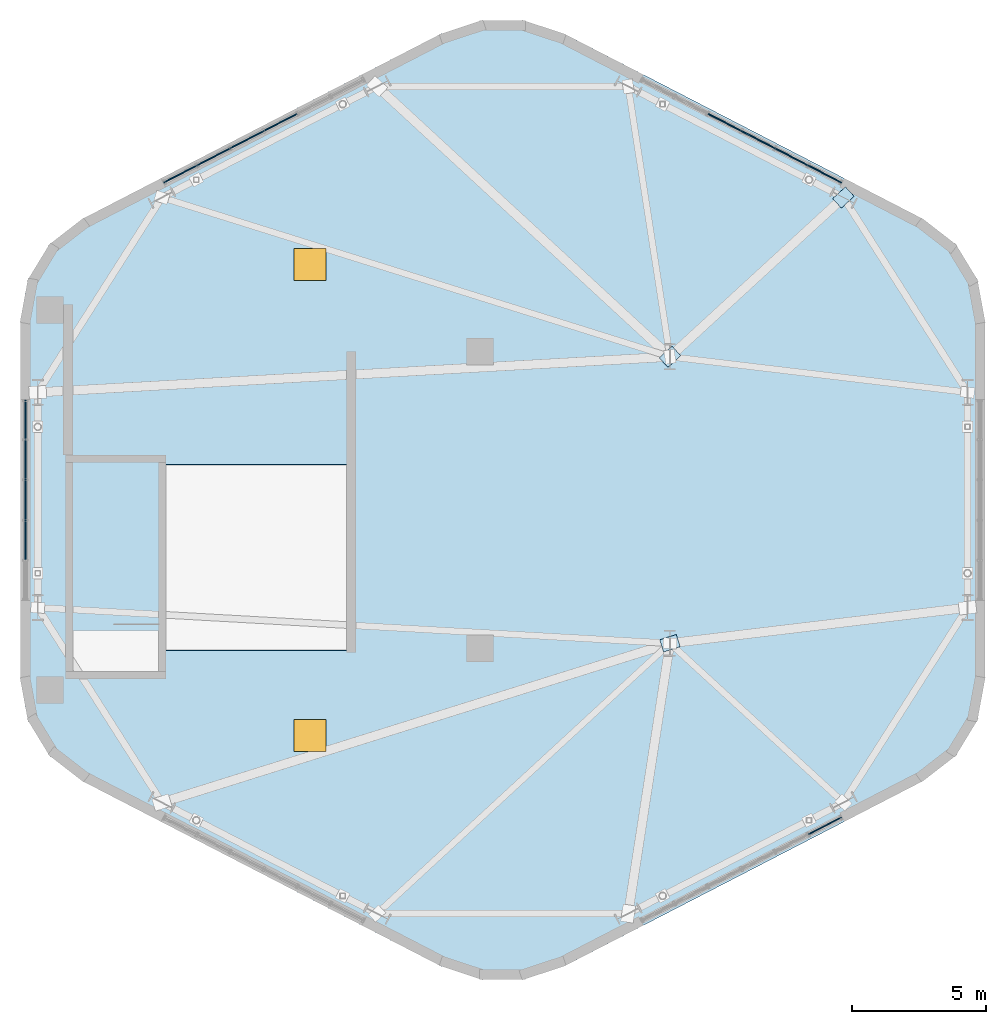
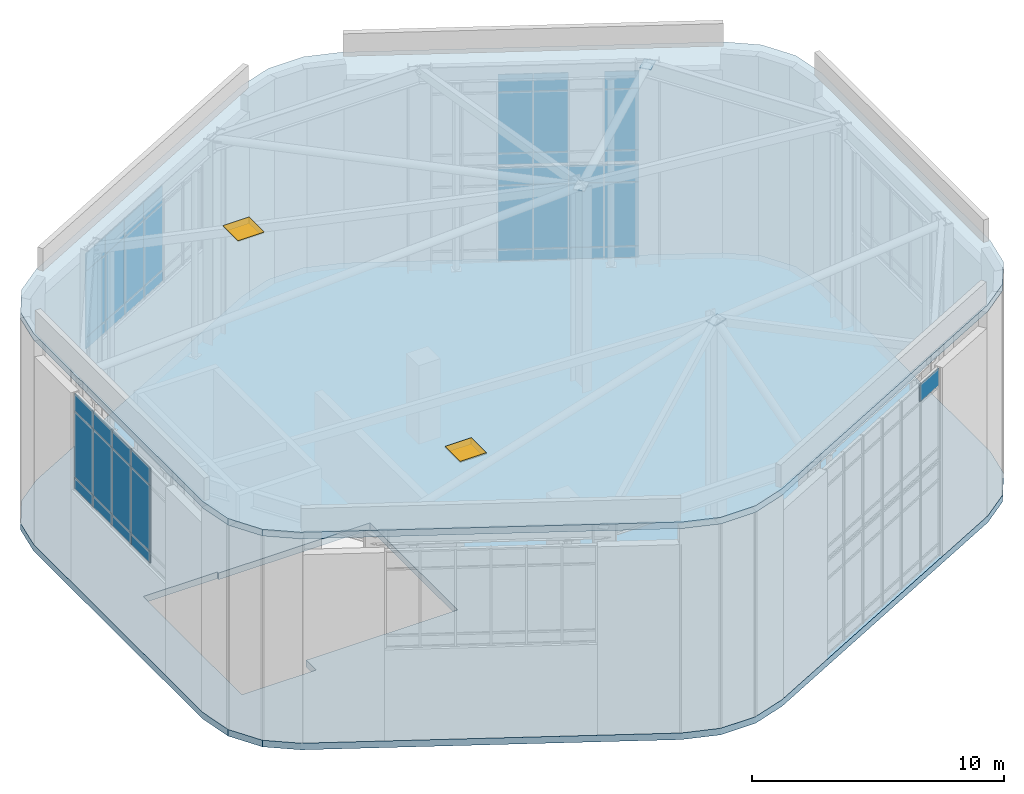
# One storey, part 20 of 23: 49 plates, 2 doors, 2 slabs, 2 openings, 6 elements without a shape of their own.
"""IFC4 building model written with IfcOpenShell, lengths in metres."""

import ifcopenshell
import ifcopenshell.guid

model = None  # the IFC model being written
_history = None  # IfcOwnerHistory: only IFC2X3 demands one
_inside = {}  # id of a spatial element -> (the spatial element, [elements in it])
_under = {}  # id of a project, library or spatial element -> (it, [spatial elements below it])
_declared = {}  # id of a project -> (the project, [libraries it declares])
_typed = {}  # id of a type object -> (the type object, [elements of that type])
_made_of = {}  # id of a material, layer set ... -> (it, [elements and type objects made of it])


def new_model(schema):
    """Start an empty IFC model of exactly this schema.

    Asked for "IFC4X3", IfcOpenShell would pick the latest addendum, in which some entities
    have other attributes; the version numbers below select the first issue.
    IFC2X3 requires an IfcOwnerHistory on every rooted entity: one is made here for all.
    """
    global model, _history
    if schema == "IFC4X3":
        model = ifcopenshell.file(schema_version=(4, 3, 0, 0))
    else:
        model = ifcopenshell.file(schema=schema)
    _inside.clear()
    _under.clear()
    _declared.clear()
    _typed.clear()
    _made_of.clear()
    _history = None
    if model.schema == "IFC2X3":
        org = make("IfcOrganization", Name="unknown")
        user = make(
            "IfcPersonAndOrganization",
            ThePerson=make("IfcPerson", FamilyName="unknown"),
            TheOrganization=org,
        )
        app = make(
            "IfcApplication",
            ApplicationDeveloper=org,
            Version="unknown",
            ApplicationFullName="unknown",
            ApplicationIdentifier="unknown",
        )
        _history = make(
            "IfcOwnerHistory",
            OwningUser=user,
            OwningApplication=app,
            ChangeAction="ADDED",
            CreationDate=0,
        )
    return model


def make(cls, **values):
    """One entity of the class cls with the attributes given. An attribute that is None is left unset."""
    return model.create_entity(
        cls, **{name: value for name, value in values.items() if value is not None}
    )


def rooted(cls, **values):
    """An entity with a GlobalId (a new one), such as an element, a storey or a relation."""
    return make(cls, GlobalId=ifcopenshell.guid.new(), OwnerHistory=_history, **values)


def si_unit(unit_type, name, prefix=None):
    """IfcSIUnit, for example si_unit("LENGTHUNIT", "METRE", prefix="MILLI")."""
    return make("IfcSIUnit", UnitType=unit_type, Prefix=prefix, Name=name)


def assignment(units):
    """IfcUnitAssignment: the units of a project."""
    return None if units is None else make("IfcUnitAssignment", Units=units)


def point(xyz):
    """IfcCartesianPoint."""
    return None if xyz is None else make("IfcCartesianPoint", Coordinates=xyz)


def direction(xyz):
    """IfcDirection."""
    return None if xyz is None else make("IfcDirection", DirectionRatios=xyz)


def frame(location, z_axis=None, x_axis=None):
    """IfcAxis2Placement3D, a coordinate frame: its origin and axes. An axis left out is left unset."""
    return make(
        "IfcAxis2Placement3D",
        Location=point(location),
        Axis=direction(z_axis),
        RefDirection=direction(x_axis),
    )


def frame_2d(location, x_axis=None):
    """IfcAxis2Placement2D, a coordinate frame in the plane: its origin and x axis."""
    return make(
        "IfcAxis2Placement2D", Location=point(location), RefDirection=direction(x_axis)
    )


def origin():
    """The frame at (0, 0, 0) with its axes left unset."""
    return frame((0.0, 0.0, 0.0))


def origin_2d():
    """The frame at (0, 0) in the plane with its x axis left unset."""
    return frame_2d((0.0, 0.0))


def place(relative_to, where):
    """IfcLocalPlacement: puts the frame where relative to a parent placement (None: the world)."""
    return make(
        "IfcLocalPlacement", PlacementRelTo=relative_to, RelativePlacement=where
    )


def context(
    kind, dimensions, precision=None, world=None, true_north=None, identifier=None
):
    """IfcGeometricRepresentationContext, for example the 3D "Model" context."""
    return make(
        "IfcGeometricRepresentationContext",
        ContextIdentifier=identifier,
        ContextType=kind,
        CoordinateSpaceDimension=dimensions,
        Precision=precision,
        WorldCoordinateSystem=world,
        TrueNorth=true_north,
    )


def subcontext(parent, identifier, kind, view, scale=None):
    """IfcGeometricRepresentationSubContext, for example "Body" below "Model"."""
    return make(
        "IfcGeometricRepresentationSubContext",
        ContextIdentifier=identifier,
        ContextType=kind,
        ParentContext=parent,
        TargetScale=scale,
        TargetView=view,
    )


def project(units=None, contexts=None):
    """IfcProject with its units and contexts."""
    return rooted(
        "IfcProject",
        Name="project",
        RepresentationContexts=contexts,
        UnitsInContext=assignment(units),
    )


def spatial(cls, under=None, at=None, **own):
    """A site, building, storey or space (cls), placed at a placement, below another one or the project."""
    s = rooted(cls, ObjectPlacement=at, **own)
    if under is not None:
        _under.setdefault(under.id(), (under, []))[1].append(s)
    return s


def polyline(points):
    """IfcPolyline through the points."""
    return make("IfcPolyline", Points=[point(p) for p in points])


def profile(cls, at=None, kind="AREA", **sizes):
    """A parametric profile (cls). Its sizes go by their IFC names, for example OverallWidth=200.0."""
    return make(cls, ProfileType=kind, Position=at, **sizes)


def rectangle(**sizes):
    """IfcRectangleProfileDef."""
    return profile("IfcRectangleProfileDef", **sizes)


def outline(outer, holes=None, kind="AREA"):
    """IfcArbitraryClosedProfileDef: a profile drawn as a closed curve; with holes, ...WithVoids."""
    if holes is None:
        return make("IfcArbitraryClosedProfileDef", ProfileType=kind, OuterCurve=outer)
    return make(
        "IfcArbitraryProfileDefWithVoids",
        ProfileType=kind,
        OuterCurve=outer,
        InnerCurves=holes,
    )


def extrude(swept, where, along, depth):
    """IfcExtrudedAreaSolid: the profile swept, set in the frame where, extruded along a direction by depth."""
    return make(
        "IfcExtrudedAreaSolid",
        SweptArea=swept,
        Position=where,
        ExtrudedDirection=direction(along),
        Depth=depth,
    )


def shape(context_of_items, identifier, shape_type, items):
    """IfcShapeRepresentation: the items that make up one representation, for example the "Body"."""
    return make(
        "IfcShapeRepresentation",
        ContextOfItems=context_of_items,
        RepresentationIdentifier=identifier,
        RepresentationType=shape_type,
        Items=items,
    )


def material(Name=None, Category=None):
    """IfcMaterial."""
    return make("IfcMaterial", Name=Name, Category=Category)


def layer(
    of_material, thickness, ventilated=None, Name=None, Category=None, Priority=None
):
    """IfcMaterialLayer: one layer of a wall or slab, of a material (None: an air gap)."""
    return make(
        "IfcMaterialLayer",
        Material=of_material,
        LayerThickness=thickness,
        IsVentilated=ventilated,
        Name=Name,
        Category=Category,
        Priority=Priority,
    )


def layer_set(layers, Name=None):
    """IfcMaterialLayerSet."""
    return make("IfcMaterialLayerSet", MaterialLayers=layers, LayerSetName=Name)


def made_of(thing, what):
    """Note that an element or type object is made of a material, layer set ...; save() writes the relation."""
    if what is not None:
        _made_of.setdefault(what.id(), (what, []))[1].append(thing)
    return thing


def type_object(cls, material=None, **own):
    """A type object (cls), such as IfcWallType, which elements share."""
    return made_of(rooted(cls, **own), material)


def element(
    cls,
    number,
    at=None,
    inside=None,
    cuts=None,
    type_object=None,
    material=None,
    context=None,
    identifier="Body",
    shape_type=None,
    held_by="IfcProductDefinitionShape",
    body=None,
    shapes=None,
    **own,
):
    """One element of the class cls, such as IfcWall. Its Tag is "e" and its number.

    at: its placement. inside: the storey or other place that contains it. cuts: it is an
    opening in that element (IfcRelVoidsElement). A single representation is given by context,
    identifier, shape_type and body (its items); several are given by shapes. held_by: the class
    of the entity that holds the representations. save() writes the other relations.
    """
    e = rooted(cls, Tag="e%d" % number, ObjectPlacement=at, **own)
    if body is not None:
        shapes = [shape(context, identifier, shape_type, body)]
    if shapes is not None:
        e.Representation = make(held_by, Representations=shapes)
    if inside is not None:
        _inside.setdefault(inside.id(), (inside, []))[1].append(e)
    if cuts is not None:
        rooted(
            "IfcRelVoidsElement", RelatingBuildingElement=cuts, RelatedOpeningElement=e
        )
    if type_object is not None:
        _typed.setdefault(type_object.id(), (type_object, []))[1].append(e)
    return made_of(e, material)


def fill(opening, filler):
    """IfcRelFillsElement: the door or window that sits in an opening."""
    return rooted(
        "IfcRelFillsElement",
        RelatingOpeningElement=opening,
        RelatedBuildingElement=filler,
    )


def aggregate(whole, parts):
    """IfcRelAggregates: a whole, such as a stair, and the parts it consists of."""
    return rooted("IfcRelAggregates", RelatingObject=whole, RelatedObjects=parts)


def save(model, path):
    """Write the relations noted so far, then the file.

    IfcRelAggregates (storeys below a building ...), IfcRelContainedInSpatialStructure (elements
    in a storey), IfcRelDefinesByType, IfcRelAssociatesMaterial and IfcRelDeclares: one each for
    every whole, place, type object, material and project.
    """
    for whole, parts in _under.values():
        aggregate(whole, parts)
    for where, things in _inside.values():
        rooted(
            "IfcRelContainedInSpatialStructure",
            RelatedElements=things,
            RelatingStructure=where,
        )
    for kind, things in _typed.values():
        rooted("IfcRelDefinesByType", RelatedObjects=things, RelatingType=kind)
    for what, things in _made_of.values():
        rooted("IfcRelAssociatesMaterial", RelatedObjects=things, RelatingMaterial=what)
    for by, libraries in _declared.values():
        rooted("IfcRelDeclares", RelatingContext=by, RelatedDefinitions=libraries)
    model.write(path)


model = new_model("IFC4")

# Units and contexts
model_context = context("Model", 3, precision=1e-05, world=origin(), true_north=direction((0.0, 1.0)))
body_context = subcontext(model_context, "Body", "Model", "MODEL_VIEW")
ifc_project = project(units=[si_unit("LENGTHUNIT", "METRE"), si_unit("AREAUNIT", "SQUARE_METRE"), si_unit("VOLUMEUNIT", "CUBIC_METRE"), si_unit("PLANEANGLEUNIT", "RADIAN"), si_unit("MASSUNIT", "GRAM", prefix="KILO"), si_unit("THERMODYNAMICTEMPERATUREUNIT", "KELVIN"), si_unit("POWERUNIT", "WATT")], contexts=[model_context])

# Site, building, storey
site_placement = place(None, origin())
site = spatial("IfcSite", under=ifc_project, at=site_placement, CompositionType="ELEMENT")
building_placement = place(site_placement, origin())
building = spatial("IfcBuilding", under=site, at=building_placement, Name="Skarre Station Tower", CompositionType="ELEMENT")
storey_placement = place(building_placement, frame((0.0, 0.0, 291.300048828125)))
storey = spatial("IfcBuildingStorey", under=building, at=storey_placement, Name="RF", CompositionType="ELEMENT", Elevation=291.300048828125)

# Curtain wall, plates
ifc_material_1 = material(Name="Thermally Broken Bronze-Anodized Aluminium & Triple Low-E Glass", Category="aluminium")
ifc_layer_1 = layer(ifc_material_1, 0.179931640625, Name="Thermally Broken Bronze-Anodized Aluminium & Triple Low-E Glass")
ifc_layer_set_1 = layer_set([ifc_layer_1], Name="Thermally Broken Bronze-Anodized Aluminium & Triple Low-E Glass")
curtain_wall_type = type_object("IfcCurtainWallType", Name="Nordic Bronze Crown Lantern Stick Curtain Wall", PredefinedType="NOTDEFINED", material=ifc_layer_set_1)
curtain_wall_1_placement = place(storey_placement, origin())
curtain_wall_1 = element("IfcCurtainWall", 1, at=curtain_wall_1_placement, inside=storey, type_object=curtain_wall_type, Name="RF Crown Lantern Lower Facet 0 Curtain Wall", PredefinedType="NOTDEFINED")
ifc_material_2 = material(Name="Insulated Bronze Anodized Aluminium Spandrel", Category="aluminium")
ifc_layer_2 = layer(ifc_material_2, 0.052001953125, Name="Insulated Bronze Anodized Aluminium Spandrel")
ifc_layer_set_2 = layer_set([ifc_layer_2], Name="Insulated Bronze Anodized Aluminium Spandrel")
plate_type_1 = type_object("IfcPlateType", Name="Bronze Insulated Spandrel Sheet Panel 52", PredefinedType="SHEET", material=ifc_layer_set_2)
plate_1_placement = place(storey_placement, frame((41.493896484375, 38.10400390625, 0.05224609375), z_axis=(0.0, 0.0, 1.0), x_axis=(0.888649250269, -0.458587516181, 0.0)))
plate_1 = element("IfcPlate", 2, at=plate_1_placement, type_object=plate_type_1, Name="RF Crown Lantern Lower Facet 0 Curtain Wall Spandrel Panel 3-1", PredefinedType="SHEET", context=body_context, shape_type="SweptSolid", body=[
    extrude(rectangle(XDim=1.383056640625, YDim=0.052001953125, at=origin_2d()), origin(), (0.0, 0.0, 1.0), 0.535888671875),
])
plate_2_placement = place(storey_placement, frame((42.7451171875, 37.4580078125, 0.05224609375), z_axis=(0.0, 0.0, 1.0), x_axis=(0.888649250269, -0.458587516181, 0.0)))
plate_2 = element("IfcPlate", 3, at=plate_2_placement, type_object=plate_type_1, Name="RF Crown Lantern Lower Facet 0 Curtain Wall Spandrel Panel 4-1", PredefinedType="SHEET", context=body_context, shape_type="SweptSolid", body=[
    extrude(rectangle(XDim=1.383056640625, YDim=0.052001953125, at=origin_2d()), origin(), (0.0, 0.0, 1.0), 0.535888671875),
])
plate_3_placement = place(storey_placement, frame((43.9951171875, 36.81298828125, 0.05224609375), z_axis=(0.0, 0.0, 1.0), x_axis=(0.888649250269, -0.458587516181, 0.0)))
plate_3 = element("IfcPlate", 4, at=plate_3_placement, type_object=plate_type_1, Name="RF Crown Lantern Lower Facet 0 Curtain Wall Spandrel Panel 5-1", PredefinedType="SHEET", context=body_context, shape_type="SweptSolid", body=[
    extrude(rectangle(XDim=1.383056640625, YDim=0.052001953125, at=origin_2d()), origin(), (0.0, 0.0, 1.0), 0.535888671875),
])
plate_4_placement = place(storey_placement, frame((45.24609375, 36.16796875, 0.05224609375), z_axis=(0.0, 0.0, 1.0), x_axis=(0.888649250269, -0.458587516181, 0.0)))
plate_4 = element("IfcPlate", 5, at=plate_4_placement, type_object=plate_type_1, Name="RF Crown Lantern Lower Facet 0 Curtain Wall Spandrel Panel 6-1", PredefinedType="SHEET", context=body_context, shape_type="SweptSolid", body=[
    extrude(rectangle(XDim=1.383056640625, YDim=0.052001953125, at=origin_2d()), origin(), (0.0, 0.0, 1.0), 0.535888671875),
])

curtain_wall_2_placement = place(storey_placement, origin())
curtain_wall_2 = element("IfcCurtainWall", 6, at=curtain_wall_2_placement, inside=storey, type_object=curtain_wall_type, Name="RF Crown Lantern Upper Facet 0 Curtain Wall", PredefinedType="NOTDEFINED")
plate_5_placement = place(storey_placement, frame((41.493896484375, 38.10400390625, 4.7021484375), z_axis=(0.0, 0.0, 1.0), x_axis=(0.888649250269, -0.458587516181, 0.0)))
plate_5 = element("IfcPlate", 7, at=plate_5_placement, type_object=plate_type_1, Name="RF Crown Lantern Upper Facet 0 Curtain Wall Spandrel Panel 3-1", PredefinedType="SHEET", context=body_context, shape_type="SweptSolid", body=[
    extrude(rectangle(XDim=1.383056640625, YDim=0.052001953125, at=origin_2d()), origin(), (0.0, 0.0, 1.0), 0.535888671875),
])
plate_6_placement = place(storey_placement, frame((42.7451171875, 37.4580078125, 4.7021484375), z_axis=(0.0, 0.0, 1.0), x_axis=(0.888649250269, -0.458587516181, 0.0)))
plate_6 = element("IfcPlate", 8, at=plate_6_placement, type_object=plate_type_1, Name="RF Crown Lantern Upper Facet 0 Curtain Wall Spandrel Panel 4-1", PredefinedType="SHEET", context=body_context, shape_type="SweptSolid", body=[
    extrude(rectangle(XDim=1.383056640625, YDim=0.052001953125, at=origin_2d()), origin(), (0.0, 0.0, 1.0), 0.535888671875),
])
plate_7_placement = place(storey_placement, frame((45.24609375, 36.16796875, 4.7021484375), z_axis=(0.0, 0.0, 1.0), x_axis=(0.888649250269, -0.458587516181, 0.0)))
plate_7 = element("IfcPlate", 9, at=plate_7_placement, type_object=plate_type_1, Name="RF Crown Lantern Upper Facet 0 Curtain Wall Spandrel Panel 6-1", PredefinedType="SHEET", context=body_context, shape_type="SweptSolid", body=[
    extrude(rectangle(XDim=1.383056640625, YDim=0.052001953125, at=origin_2d()), origin(), (0.0, 0.0, 1.0), 0.535888671875),
])

curtain_wall_3_placement = place(storey_placement, origin())
curtain_wall_3 = element("IfcCurtainWall", 10, at=curtain_wall_3_placement, inside=storey, type_object=curtain_wall_type, Name="RF Crown Lantern Facet 1 Curtain Wall", PredefinedType="NOTDEFINED")
plate_8_placement = place(storey_placement, frame((21.154052734375, 36.16796875, 4.4521484375), z_axis=(0.0, 0.0, 1.0), x_axis=(0.888649250269, 0.458587516181, 0.0)))
plate_8 = element("IfcPlate", 11, at=plate_8_placement, type_object=plate_type_1, Name="RF Crown Lantern Facet 1 Curtain Wall Spandrel Panel 1-1", PredefinedType="SHEET", context=body_context, shape_type="SweptSolid", body=[
    extrude(rectangle(XDim=1.383056640625, YDim=0.052001953125, at=origin_2d()), origin(), (0.0, 0.0, 1.0), 0.535888671875),
])
plate_9_placement = place(storey_placement, frame((22.405029296875, 36.81298828125, 4.4521484375), z_axis=(0.0, 0.0, 1.0), x_axis=(0.888649250269, 0.458587516181, 0.0)))
plate_9 = element("IfcPlate", 12, at=plate_9_placement, type_object=plate_type_1, Name="RF Crown Lantern Facet 1 Curtain Wall Spandrel Panel 2-1", PredefinedType="SHEET", context=body_context, shape_type="SweptSolid", body=[
    extrude(rectangle(XDim=1.383056640625, YDim=0.052001953125, at=origin_2d()), origin(), (0.0, 0.0, 1.0), 0.535888671875),
])
plate_10_placement = place(storey_placement, frame((23.655029296875, 37.4580078125, 4.4521484375), z_axis=(0.0, 0.0, 1.0), x_axis=(0.888649250269, 0.458587516181, 0.0)))
plate_10 = element("IfcPlate", 13, at=plate_10_placement, type_object=plate_type_1, Name="RF Crown Lantern Facet 1 Curtain Wall Spandrel Panel 3-1", PredefinedType="SHEET", context=body_context, shape_type="SweptSolid", body=[
    extrude(rectangle(XDim=1.383056640625, YDim=0.052001953125, at=origin_2d()), origin(), (0.0, 0.0, 1.0), 0.535888671875),
])
plate_11_placement = place(storey_placement, frame((24.906005859375, 38.10400390625, 4.4521484375), z_axis=(0.0, 0.0, 1.0), x_axis=(0.888649250269, 0.458587516181, 0.0)))
plate_11 = element("IfcPlate", 14, at=plate_11_placement, type_object=plate_type_1, Name="RF Crown Lantern Facet 1 Curtain Wall Spandrel Panel 4-1", PredefinedType="SHEET", context=body_context, shape_type="SweptSolid", body=[
    extrude(rectangle(XDim=1.383056640625, YDim=0.052001953125, at=origin_2d()), origin(), (0.0, 0.0, 1.0), 0.535888671875),
])

curtain_wall_4_placement = place(storey_placement, origin())
curtain_wall_4 = element("IfcCurtainWall", 15, at=curtain_wall_4_placement, inside=storey, type_object=curtain_wall_type, Name="RF Crown Lantern Facet 2 Curtain Wall", PredefinedType="NOTDEFINED")
plate_12_placement = place(storey_placement, frame((15.376953125, 22.4990234375, 4.4521484375), z_axis=(0.0, 0.0, 1.0), x_axis=(0.0, 1.0, 0.0)))
plate_12 = element("IfcPlate", 16, at=plate_12_placement, type_object=plate_type_1, Name="RF Crown Lantern Facet 2 Curtain Wall Spandrel Panel 2-1", PredefinedType="SHEET", context=body_context, shape_type="SweptSolid", body=[
    extrude(rectangle(XDim=1.47705078125, YDim=0.052001953125, at=origin_2d()), origin(), (0.0, 0.0, 1.0), 0.535888671875),
])
plate_13_placement = place(storey_placement, frame((15.376953125, 24.0, 4.4521484375), z_axis=(0.0, 0.0, 1.0), x_axis=(0.0, 1.0, 0.0)))
plate_13 = element("IfcPlate", 17, at=plate_13_placement, type_object=plate_type_1, Name="RF Crown Lantern Facet 2 Curtain Wall Spandrel Panel 3-1", PredefinedType="SHEET", context=body_context, shape_type="SweptSolid", body=[
    extrude(rectangle(XDim=1.47705078125, YDim=0.052001953125, at=origin_2d()), origin(), (0.0, 0.0, 1.0), 0.535888671875),
])
plate_14_placement = place(storey_placement, frame((15.376953125, 25.5009765625, 4.4521484375), z_axis=(0.0, 0.0, 1.0), x_axis=(0.0, 1.0, 0.0)))
plate_14 = element("IfcPlate", 18, at=plate_14_placement, type_object=plate_type_1, Name="RF Crown Lantern Facet 2 Curtain Wall Spandrel Panel 4-1", PredefinedType="SHEET", context=body_context, shape_type="SweptSolid", body=[
    extrude(rectangle(XDim=1.47705078125, YDim=0.052001953125, at=origin_2d()), origin(), (0.0, 0.0, 1.0), 0.535888671875),
])
plate_15_placement = place(storey_placement, frame((15.376953125, 27.001953125, 4.4521484375), z_axis=(0.0, 0.0, 1.0), x_axis=(0.0, 1.0, 0.0)))
plate_15 = element("IfcPlate", 19, at=plate_15_placement, type_object=plate_type_1, Name="RF Crown Lantern Facet 2 Curtain Wall Spandrel Panel 5-1", PredefinedType="SHEET", context=body_context, shape_type="SweptSolid", body=[
    extrude(rectangle(XDim=1.47705078125, YDim=0.052001953125, at=origin_2d()), origin(), (0.0, 0.0, 1.0), 0.535888671875),
])

# Slab, openings, doors
ifc_material_3 = material(Name="Concrete C50/60", Category="concrete")
ifc_layer_3 = layer(ifc_material_3, 0.320068359375, Name="Concrete C50/60")
ifc_layer_set_3 = layer_set([ifc_layer_3], Name="Concrete C50/60")
slab_type_1 = type_object("IfcSlabType", Name="Crown Lantern Cap Structural Canopy Slab 320", PredefinedType="USERDEFINED", material=ifc_layer_set_3)
slab_1_placement = place(storey_placement, frame((0.0, 0.0, 9.8798828125)))
slab_1 = element("IfcSlab", 20, at=slab_1_placement, inside=storey, type_object=slab_type_1, Name="RF Crown Lantern Cap Structural Canopy Slab", ObjectType="CANOPY_CAP", PredefinedType="USERDEFINED", context=body_context, shape_type="SweptSolid", body=[
    extrude(outline(polyline([(51.212890625, 30.701904296875), (50.93310546875, 32.222900390625), (50.1279296875, 33.544921875), (48.905029296875, 34.491943359375), (35.508056640625, 41.407958984375), (33.99609375, 41.906005859375), (32.404052734375, 41.906005859375), (30.89208984375, 41.407958984375), (17.4951171875, 34.491943359375), (16.27197265625, 33.544921875), (15.467041015625, 32.222900390625), (15.18701171875, 30.701904296875), (15.18701171875, 17.298095703125), (15.467041015625, 15.777099609375), (16.27197265625, 14.455078125), (17.4951171875, 13.508056640625), (30.89208984375, 6.592041015625), (32.404052734375, 6.093994140625), (33.99609375, 6.093994140625), (35.508056640625, 6.592041015625), (48.905029296875, 13.508056640625), (50.1279296875, 14.455078125), (50.93310546875, 15.777099609375), (51.212890625, 17.298095703125), (51.212890625, 30.701904296875)])), origin(), (0.0, 0.0, 1.0), 0.320068359375),
])
opening_1_placement = place(slab_1_placement, frame((26.0, 15.199951171875, 0.0)))
opening_1 = element("IfcOpeningElement", 21, at=opening_1_placement, cuts=slab_1, Name="Opening HT-ROOF120", PredefinedType="OPENING", context=body_context, shape_type="SweptSolid", body=[
    extrude(rectangle(XDim=1.199951171875, YDim=1.199951171875, at=origin_2d()), frame((0.0, 0.0, -0.010009765625)), (0.0, 0.0, 1.0), 0.340087890625),
])
opening_2_placement = place(slab_1_placement, frame((26.0, 32.800048828125, 0.0)))
opening_2 = element("IfcOpeningElement", 22, at=opening_2_placement, cuts=slab_1, Name="Opening HT-ROOF120", PredefinedType="OPENING", context=body_context, shape_type="SweptSolid", body=[
    extrude(rectangle(XDim=1.199951171875, YDim=1.199951171875, at=origin_2d()), frame((0.0, 0.0, -0.010009765625)), (0.0, 0.0, 1.0), 0.340087890625),
])
ifc_material_4 = material(Name="Thermally Broken Aluminium Curb & Steel Lid", Category="steel")
door_type = type_object("IfcDoorType", Name="Insulated Roof & Smoke-Vent Access Hatch 1200x1200", OperationType="SWING_FIXED_LEFT", PredefinedType="TRAPDOOR", material=ifc_material_4)
door_1_placement = place(opening_1_placement, frame((0.0, 0.0, 0.27001953125)))
door_1 = element("IfcDoor", 23, at=door_1_placement, inside=storey, type_object=door_type, Name="RF Crown Maintenance Roof Access Hatch 1", OperationType="SINGLE_SWING_LEFT", OverallHeight=1.199951171875, OverallWidth=1.199951171875, PredefinedType="TRAPDOOR", context=body_context, shape_type="SweptSolid", body=[
    extrude(rectangle(XDim=1.199951171875, YDim=1.199951171875, at=origin_2d()), origin(), (0.0, 0.0, 1.0), 0.050048828125),
])
fill(opening_1, door_1)
door_2_placement = place(opening_2_placement, frame((0.0, 0.0, 0.27001953125)))
door_2 = element("IfcDoor", 24, at=door_2_placement, inside=storey, type_object=door_type, Name="RF Crown Maintenance Roof Access Hatch 2", OperationType="SINGLE_SWING_LEFT", OverallHeight=1.199951171875, OverallWidth=1.199951171875, PredefinedType="TRAPDOOR", context=body_context, shape_type="SweptSolid", body=[
    extrude(rectangle(XDim=1.199951171875, YDim=1.199951171875, at=origin_2d()), origin(), (0.0, 0.0, 1.0), 0.050048828125),
])
fill(opening_2, door_2)

# Roof, slab
ifc_material_5 = material(Name="Precast concrete C40/50", Category="concrete")
ifc_layer_4 = layer(ifc_material_5, 0.320068359375, Name="Precast concrete C40/50")
ifc_layer_set_4 = layer_set([ifc_layer_4], Name="Precast concrete C40/50")
roof_type = type_object("IfcRoofType", Name="Insulated Standing-Seam & Inverted Ballasted Roof Assembly", PredefinedType="FLAT_ROOF", material=ifc_layer_set_4)
roof_placement = place(storey_placement, origin())
roof = element("IfcRoof", 25, at=roof_placement, inside=storey, type_object=roof_type, Name="RF Tower Crown Roof Assembly TOP +301.500", PredefinedType="FLAT_ROOF")
ifc_layer_5 = layer(ifc_material_3, 0.320068359375, Name="Concrete C50/60")
ifc_layer_set_5 = layer_set([ifc_layer_5], Name="Concrete C50/60")
slab_type_2 = type_object("IfcSlabType", Name="Insulated Structural Roof Slab 320", PredefinedType="ROOF", material=ifc_layer_set_5)
slab_2_placement = place(storey_placement, frame((0.0, 0.0, -0.320068359375)))
slab_2 = element("IfcSlab", 26, at=slab_2_placement, type_object=slab_type_2, Name="RF Main Tower Structural Roof Slab", PredefinedType="ROOF", context=body_context, shape_type="SweptSolid", body=[
    extrude(outline(polyline([(51.212890625, 30.701904296875), (50.93310546875, 32.222900390625), (50.1279296875, 33.544921875), (48.905029296875, 34.491943359375), (35.508056640625, 41.407958984375), (33.99609375, 41.906005859375), (32.404052734375, 41.906005859375), (30.89208984375, 41.407958984375), (17.4951171875, 34.491943359375), (16.27197265625, 33.544921875), (15.467041015625, 32.222900390625), (15.18701171875, 30.701904296875), (15.18701171875, 17.298095703125), (15.467041015625, 15.777099609375), (16.27197265625, 14.455078125), (17.4951171875, 13.508056640625), (30.89208984375, 6.592041015625), (32.404052734375, 6.093994140625), (33.99609375, 6.093994140625), (35.508056640625, 6.592041015625), (48.905029296875, 13.508056640625), (50.1279296875, 14.455078125), (50.93310546875, 15.777099609375), (51.212890625, 17.298095703125), (51.212890625, 30.701904296875)]), holes=[polyline([(17.139892578125, 25.409912109375), (20.5400390625, 25.409912109375), (20.5400390625, 25.320068359375), (27.469970703125, 25.320068359375), (27.469970703125, 18.3798828125), (20.5400390625, 18.3798828125), (20.5400390625, 17.590087890625), (17.139892578125, 17.590087890625), (17.139892578125, 25.409912109375)])]), origin(), (0.0, 0.0, 1.0), 0.320068359375),
])
aggregate(roof, [slab_2])

# Plate
ifc_material_6 = material(Name="Low-Iron Triple Insulating Glass Unit", Category="glass")
ifc_layer_6 = layer(ifc_material_6, 0.0439453125, Name="Low-Iron Triple Insulating Glass Unit")
ifc_layer_set_6 = layer_set([ifc_layer_6], Name="Low-Iron Triple Insulating Glass Unit")
plate_type_2 = type_object("IfcPlateType", Name="Triple-Glazed Vision Curtain Panel 44", PredefinedType="CURTAIN_PANEL", material=ifc_layer_set_6)
plate_16_placement = place(storey_placement, frame((41.493896484375, 38.10400390625, 0.61181640625), z_axis=(0.0, 0.0, 1.0), x_axis=(0.888649250269, -0.458587516181, 0.0)))
plate_16 = element("IfcPlate", 27, at=plate_16_placement, type_object=plate_type_2, Name="RF Crown Lantern Lower Facet 0 Curtain Wall Vision Panel 3-2", PredefinedType="CURTAIN_PANEL", context=body_context, shape_type="SweptSolid", body=[
    extrude(rectangle(XDim=1.383056640625, YDim=0.0439453125, at=origin_2d()), origin(), (0.0, 0.0, 1.0), 3.075927734375),
])

plate_17_placement = place(storey_placement, frame((41.493896484375, 38.10400390625, 3.7119140625), z_axis=(0.0, 0.0, 1.0), x_axis=(0.888649250269, -0.458587516181, 0.0)))
plate_17 = element("IfcPlate", 28, at=plate_17_placement, type_object=plate_type_2, Name="RF Crown Lantern Lower Facet 0 Curtain Wall Vision Panel 3-3", PredefinedType="CURTAIN_PANEL", context=body_context, shape_type="SweptSolid", body=[
    extrude(rectangle(XDim=1.383056640625, YDim=0.0439453125, at=origin_2d()), origin(), (0.0, 0.0, 1.0), 0.8359375),
])

plate_18_placement = place(storey_placement, frame((42.7451171875, 37.4580078125, 0.61181640625), z_axis=(0.0, 0.0, 1.0), x_axis=(0.888649250269, -0.458587516181, 0.0)))
plate_18 = element("IfcPlate", 29, at=plate_18_placement, type_object=plate_type_2, Name="RF Crown Lantern Lower Facet 0 Curtain Wall Vision Panel 4-2", PredefinedType="CURTAIN_PANEL", context=body_context, shape_type="SweptSolid", body=[
    extrude(rectangle(XDim=1.383056640625, YDim=0.0439453125, at=origin_2d()), origin(), (0.0, 0.0, 1.0), 3.075927734375),
])

plate_19_placement = place(storey_placement, frame((42.7451171875, 37.4580078125, 3.7119140625), z_axis=(0.0, 0.0, 1.0), x_axis=(0.888649250269, -0.458587516181, 0.0)))
plate_19 = element("IfcPlate", 30, at=plate_19_placement, type_object=plate_type_2, Name="RF Crown Lantern Lower Facet 0 Curtain Wall Vision Panel 4-3", PredefinedType="CURTAIN_PANEL", context=body_context, shape_type="SweptSolid", body=[
    extrude(rectangle(XDim=1.383056640625, YDim=0.0439453125, at=origin_2d()), origin(), (0.0, 0.0, 1.0), 0.8359375),
])

plate_20_placement = place(storey_placement, frame((43.9951171875, 36.81298828125, 0.61181640625), z_axis=(0.0, 0.0, 1.0), x_axis=(0.888649250269, -0.458587516181, 0.0)))
plate_20 = element("IfcPlate", 31, at=plate_20_placement, type_object=plate_type_2, Name="RF Crown Lantern Lower Facet 0 Curtain Wall Vision Panel 5-2", PredefinedType="CURTAIN_PANEL", context=body_context, shape_type="SweptSolid", body=[
    extrude(rectangle(XDim=1.383056640625, YDim=0.0439453125, at=origin_2d()), origin(), (0.0, 0.0, 1.0), 3.075927734375),
])

plate_21_placement = place(storey_placement, frame((43.9951171875, 36.81298828125, 3.7119140625), z_axis=(0.0, 0.0, 1.0), x_axis=(0.888649250269, -0.458587516181, 0.0)))
plate_21 = element("IfcPlate", 32, at=plate_21_placement, type_object=plate_type_2, Name="RF Crown Lantern Lower Facet 0 Curtain Wall Vision Panel 5-3", PredefinedType="CURTAIN_PANEL", context=body_context, shape_type="SweptSolid", body=[
    extrude(rectangle(XDim=1.383056640625, YDim=0.0439453125, at=origin_2d()), origin(), (0.0, 0.0, 1.0), 0.8359375),
])

plate_22_placement = place(storey_placement, frame((45.24609375, 36.16796875, 0.61181640625), z_axis=(0.0, 0.0, 1.0), x_axis=(0.888649250269, -0.458587516181, 0.0)))
plate_22 = element("IfcPlate", 33, at=plate_22_placement, type_object=plate_type_2, Name="RF Crown Lantern Lower Facet 0 Curtain Wall Vision Panel 6-2", PredefinedType="CURTAIN_PANEL", context=body_context, shape_type="SweptSolid", body=[
    extrude(rectangle(XDim=1.383056640625, YDim=0.0439453125, at=origin_2d()), origin(), (0.0, 0.0, 1.0), 3.075927734375),
])

plate_23_placement = place(storey_placement, frame((45.24609375, 36.16796875, 3.7119140625), z_axis=(0.0, 0.0, 1.0), x_axis=(0.888649250269, -0.458587516181, 0.0)))
plate_23 = element("IfcPlate", 34, at=plate_23_placement, type_object=plate_type_2, Name="RF Crown Lantern Lower Facet 0 Curtain Wall Vision Panel 6-3", PredefinedType="CURTAIN_PANEL", context=body_context, shape_type="SweptSolid", body=[
    extrude(rectangle(XDim=1.383056640625, YDim=0.0439453125, at=origin_2d()), origin(), (0.0, 0.0, 1.0), 0.8359375),
])

aggregate(curtain_wall_1, [plate_1, plate_16, plate_17, plate_2, plate_18, plate_19, plate_3, plate_20, plate_21, plate_4, plate_22, plate_23])

plate_24_placement = place(storey_placement, frame((41.493896484375, 38.10400390625, 5.261962890625), z_axis=(0.0, 0.0, 1.0), x_axis=(0.888649250269, -0.458587516181, 0.0)))
plate_24 = element("IfcPlate", 35, at=plate_24_placement, type_object=plate_type_2, Name="RF Crown Lantern Upper Facet 0 Curtain Wall Vision Panel 3-2", PredefinedType="CURTAIN_PANEL", context=body_context, shape_type="SweptSolid", body=[
    extrude(rectangle(XDim=1.383056640625, YDim=0.0439453125, at=origin_2d()), origin(), (0.0, 0.0, 1.0), 2.93603515625),
])

plate_25_placement = place(storey_placement, frame((41.493896484375, 38.10400390625, 8.221923828125), z_axis=(0.0, 0.0, 1.0), x_axis=(0.888649250269, -0.458587516181, 0.0)))
plate_25 = element("IfcPlate", 36, at=plate_25_placement, type_object=plate_type_2, Name="RF Crown Lantern Upper Facet 0 Curtain Wall Vision Panel 3-3", PredefinedType="CURTAIN_PANEL", context=body_context, shape_type="SweptSolid", body=[
    extrude(rectangle(XDim=1.383056640625, YDim=0.0439453125, at=origin_2d()), origin(), (0.0, 0.0, 1.0), 0.8359375),
])

plate_26_placement = place(storey_placement, frame((42.7451171875, 37.4580078125, 5.261962890625), z_axis=(0.0, 0.0, 1.0), x_axis=(0.888649250269, -0.458587516181, 0.0)))
plate_26 = element("IfcPlate", 37, at=plate_26_placement, type_object=plate_type_2, Name="RF Crown Lantern Upper Facet 0 Curtain Wall Vision Panel 4-2", PredefinedType="CURTAIN_PANEL", context=body_context, shape_type="SweptSolid", body=[
    extrude(rectangle(XDim=1.383056640625, YDim=0.0439453125, at=origin_2d()), origin(), (0.0, 0.0, 1.0), 2.93603515625),
])

plate_27_placement = place(storey_placement, frame((42.7451171875, 37.4580078125, 8.221923828125), z_axis=(0.0, 0.0, 1.0), x_axis=(0.888649250269, -0.458587516181, 0.0)))
plate_27 = element("IfcPlate", 38, at=plate_27_placement, type_object=plate_type_2, Name="RF Crown Lantern Upper Facet 0 Curtain Wall Vision Panel 4-3", PredefinedType="CURTAIN_PANEL", context=body_context, shape_type="SweptSolid", body=[
    extrude(rectangle(XDim=1.383056640625, YDim=0.0439453125, at=origin_2d()), origin(), (0.0, 0.0, 1.0), 0.8359375),
])

plate_28_placement = place(storey_placement, frame((45.24609375, 36.16796875, 5.261962890625), z_axis=(0.0, 0.0, 1.0), x_axis=(0.888649250269, -0.458587516181, 0.0)))
plate_28 = element("IfcPlate", 39, at=plate_28_placement, type_object=plate_type_2, Name="RF Crown Lantern Upper Facet 0 Curtain Wall Vision Panel 6-2", PredefinedType="CURTAIN_PANEL", context=body_context, shape_type="SweptSolid", body=[
    extrude(rectangle(XDim=1.383056640625, YDim=0.0439453125, at=origin_2d()), origin(), (0.0, 0.0, 1.0), 2.93603515625),
])

plate_29_placement = place(storey_placement, frame((45.24609375, 36.16796875, 8.221923828125), z_axis=(0.0, 0.0, 1.0), x_axis=(0.888649250269, -0.458587516181, 0.0)))
plate_29 = element("IfcPlate", 40, at=plate_29_placement, type_object=plate_type_2, Name="RF Crown Lantern Upper Facet 0 Curtain Wall Vision Panel 6-3", PredefinedType="CURTAIN_PANEL", context=body_context, shape_type="SweptSolid", body=[
    extrude(rectangle(XDim=1.383056640625, YDim=0.0439453125, at=origin_2d()), origin(), (0.0, 0.0, 1.0), 0.8359375),
])

aggregate(curtain_wall_2, [plate_5, plate_24, plate_25, plate_6, plate_26, plate_27, plate_7, plate_28, plate_29])

plate_30_placement = place(storey_placement, frame((21.154052734375, 36.16796875, 5.011962890625), z_axis=(0.0, 0.0, 1.0), x_axis=(0.888649250269, 0.458587516181, 0.0)))
plate_30 = element("IfcPlate", 41, at=plate_30_placement, type_object=plate_type_2, Name="RF Crown Lantern Facet 1 Curtain Wall Vision Panel 1-2", PredefinedType="CURTAIN_PANEL", context=body_context, shape_type="SweptSolid", body=[
    extrude(rectangle(XDim=1.383056640625, YDim=0.0439453125, at=origin_2d()), origin(), (0.0, 0.0, 1.0), 3.18603515625),
])

plate_31_placement = place(storey_placement, frame((21.154052734375, 36.16796875, 8.221923828125), z_axis=(0.0, 0.0, 1.0), x_axis=(0.888649250269, 0.458587516181, 0.0)))
plate_31 = element("IfcPlate", 42, at=plate_31_placement, type_object=plate_type_2, Name="RF Crown Lantern Facet 1 Curtain Wall Vision Panel 1-3", PredefinedType="CURTAIN_PANEL", context=body_context, shape_type="SweptSolid", body=[
    extrude(rectangle(XDim=1.383056640625, YDim=0.0439453125, at=origin_2d()), origin(), (0.0, 0.0, 1.0), 0.8359375),
])

plate_32_placement = place(storey_placement, frame((22.405029296875, 36.81298828125, 5.011962890625), z_axis=(0.0, 0.0, 1.0), x_axis=(0.888649250269, 0.458587516181, 0.0)))
plate_32 = element("IfcPlate", 43, at=plate_32_placement, type_object=plate_type_2, Name="RF Crown Lantern Facet 1 Curtain Wall Vision Panel 2-2", PredefinedType="CURTAIN_PANEL", context=body_context, shape_type="SweptSolid", body=[
    extrude(rectangle(XDim=1.383056640625, YDim=0.0439453125, at=origin_2d()), origin(), (0.0, 0.0, 1.0), 3.18603515625),
])

plate_33_placement = place(storey_placement, frame((22.405029296875, 36.81298828125, 8.221923828125), z_axis=(0.0, 0.0, 1.0), x_axis=(0.888649250269, 0.458587516181, 0.0)))
plate_33 = element("IfcPlate", 44, at=plate_33_placement, type_object=plate_type_2, Name="RF Crown Lantern Facet 1 Curtain Wall Vision Panel 2-3", PredefinedType="CURTAIN_PANEL", context=body_context, shape_type="SweptSolid", body=[
    extrude(rectangle(XDim=1.383056640625, YDim=0.0439453125, at=origin_2d()), origin(), (0.0, 0.0, 1.0), 0.8359375),
])

plate_34_placement = place(storey_placement, frame((23.655029296875, 37.4580078125, 5.011962890625), z_axis=(0.0, 0.0, 1.0), x_axis=(0.888649250269, 0.458587516181, 0.0)))
plate_34 = element("IfcPlate", 45, at=plate_34_placement, type_object=plate_type_2, Name="RF Crown Lantern Facet 1 Curtain Wall Vision Panel 3-2", PredefinedType="CURTAIN_PANEL", context=body_context, shape_type="SweptSolid", body=[
    extrude(rectangle(XDim=1.383056640625, YDim=0.0439453125, at=origin_2d()), origin(), (0.0, 0.0, 1.0), 3.18603515625),
])

plate_35_placement = place(storey_placement, frame((23.655029296875, 37.4580078125, 8.221923828125), z_axis=(0.0, 0.0, 1.0), x_axis=(0.888649250269, 0.458587516181, 0.0)))
plate_35 = element("IfcPlate", 46, at=plate_35_placement, type_object=plate_type_2, Name="RF Crown Lantern Facet 1 Curtain Wall Vision Panel 3-3", PredefinedType="CURTAIN_PANEL", context=body_context, shape_type="SweptSolid", body=[
    extrude(rectangle(XDim=1.383056640625, YDim=0.0439453125, at=origin_2d()), origin(), (0.0, 0.0, 1.0), 0.8359375),
])

plate_36_placement = place(storey_placement, frame((24.906005859375, 38.10400390625, 5.011962890625), z_axis=(0.0, 0.0, 1.0), x_axis=(0.888649250269, 0.458587516181, 0.0)))
plate_36 = element("IfcPlate", 47, at=plate_36_placement, type_object=plate_type_2, Name="RF Crown Lantern Facet 1 Curtain Wall Vision Panel 4-2", PredefinedType="CURTAIN_PANEL", context=body_context, shape_type="SweptSolid", body=[
    extrude(rectangle(XDim=1.383056640625, YDim=0.0439453125, at=origin_2d()), origin(), (0.0, 0.0, 1.0), 3.18603515625),
])

plate_37_placement = place(storey_placement, frame((24.906005859375, 38.10400390625, 8.221923828125), z_axis=(0.0, 0.0, 1.0), x_axis=(0.888649250269, 0.458587516181, 0.0)))
plate_37 = element("IfcPlate", 48, at=plate_37_placement, type_object=plate_type_2, Name="RF Crown Lantern Facet 1 Curtain Wall Vision Panel 4-3", PredefinedType="CURTAIN_PANEL", context=body_context, shape_type="SweptSolid", body=[
    extrude(rectangle(XDim=1.383056640625, YDim=0.0439453125, at=origin_2d()), origin(), (0.0, 0.0, 1.0), 0.8359375),
])

aggregate(curtain_wall_3, [plate_8, plate_30, plate_31, plate_9, plate_32, plate_33, plate_10, plate_34, plate_35, plate_11, plate_36, plate_37])

plate_38_placement = place(storey_placement, frame((15.376953125, 22.4990234375, 5.011962890625), z_axis=(0.0, 0.0, 1.0), x_axis=(0.0, 1.0, 0.0)))
plate_38 = element("IfcPlate", 49, at=plate_38_placement, type_object=plate_type_2, Name="RF Crown Lantern Facet 2 Curtain Wall Vision Panel 2-2", PredefinedType="CURTAIN_PANEL", context=body_context, shape_type="SweptSolid", body=[
    extrude(rectangle(XDim=1.47705078125, YDim=0.0439453125, at=origin_2d()), origin(), (0.0, 0.0, 1.0), 3.18603515625),
])

plate_39_placement = place(storey_placement, frame((15.376953125, 22.4990234375, 8.221923828125), z_axis=(0.0, 0.0, 1.0), x_axis=(0.0, 1.0, 0.0)))
plate_39 = element("IfcPlate", 50, at=plate_39_placement, type_object=plate_type_2, Name="RF Crown Lantern Facet 2 Curtain Wall Vision Panel 2-3", PredefinedType="CURTAIN_PANEL", context=body_context, shape_type="SweptSolid", body=[
    extrude(rectangle(XDim=1.47705078125, YDim=0.0439453125, at=origin_2d()), origin(), (0.0, 0.0, 1.0), 0.8359375),
])

plate_40_placement = place(storey_placement, frame((15.376953125, 24.0, 5.011962890625), z_axis=(0.0, 0.0, 1.0), x_axis=(0.0, 1.0, 0.0)))
plate_40 = element("IfcPlate", 51, at=plate_40_placement, type_object=plate_type_2, Name="RF Crown Lantern Facet 2 Curtain Wall Vision Panel 3-2", PredefinedType="CURTAIN_PANEL", context=body_context, shape_type="SweptSolid", body=[
    extrude(rectangle(XDim=1.47705078125, YDim=0.0439453125, at=origin_2d()), origin(), (0.0, 0.0, 1.0), 3.18603515625),
])

plate_41_placement = place(storey_placement, frame((15.376953125, 24.0, 8.221923828125), z_axis=(0.0, 0.0, 1.0), x_axis=(0.0, 1.0, 0.0)))
plate_41 = element("IfcPlate", 52, at=plate_41_placement, type_object=plate_type_2, Name="RF Crown Lantern Facet 2 Curtain Wall Vision Panel 3-3", PredefinedType="CURTAIN_PANEL", context=body_context, shape_type="SweptSolid", body=[
    extrude(rectangle(XDim=1.47705078125, YDim=0.0439453125, at=origin_2d()), origin(), (0.0, 0.0, 1.0), 0.8359375),
])

plate_42_placement = place(storey_placement, frame((15.376953125, 25.5009765625, 5.011962890625), z_axis=(0.0, 0.0, 1.0), x_axis=(0.0, 1.0, 0.0)))
plate_42 = element("IfcPlate", 53, at=plate_42_placement, type_object=plate_type_2, Name="RF Crown Lantern Facet 2 Curtain Wall Vision Panel 4-2", PredefinedType="CURTAIN_PANEL", context=body_context, shape_type="SweptSolid", body=[
    extrude(rectangle(XDim=1.47705078125, YDim=0.0439453125, at=origin_2d()), origin(), (0.0, 0.0, 1.0), 3.18603515625),
])

plate_43_placement = place(storey_placement, frame((15.376953125, 25.5009765625, 8.221923828125), z_axis=(0.0, 0.0, 1.0), x_axis=(0.0, 1.0, 0.0)))
plate_43 = element("IfcPlate", 54, at=plate_43_placement, type_object=plate_type_2, Name="RF Crown Lantern Facet 2 Curtain Wall Vision Panel 4-3", PredefinedType="CURTAIN_PANEL", context=body_context, shape_type="SweptSolid", body=[
    extrude(rectangle(XDim=1.47705078125, YDim=0.0439453125, at=origin_2d()), origin(), (0.0, 0.0, 1.0), 0.8359375),
])

plate_44_placement = place(storey_placement, frame((15.376953125, 27.001953125, 5.011962890625), z_axis=(0.0, 0.0, 1.0), x_axis=(0.0, 1.0, 0.0)))
plate_44 = element("IfcPlate", 55, at=plate_44_placement, type_object=plate_type_2, Name="RF Crown Lantern Facet 2 Curtain Wall Vision Panel 5-2", PredefinedType="CURTAIN_PANEL", context=body_context, shape_type="SweptSolid", body=[
    extrude(rectangle(XDim=1.47705078125, YDim=0.0439453125, at=origin_2d()), origin(), (0.0, 0.0, 1.0), 3.18603515625),
])

plate_45_placement = place(storey_placement, frame((15.376953125, 27.001953125, 8.221923828125), z_axis=(0.0, 0.0, 1.0), x_axis=(0.0, 1.0, 0.0)))
plate_45 = element("IfcPlate", 56, at=plate_45_placement, type_object=plate_type_2, Name="RF Crown Lantern Facet 2 Curtain Wall Vision Panel 5-3", PredefinedType="CURTAIN_PANEL", context=body_context, shape_type="SweptSolid", body=[
    extrude(rectangle(XDim=1.47705078125, YDim=0.0439453125, at=origin_2d()), origin(), (0.0, 0.0, 1.0), 0.8359375),
])

aggregate(curtain_wall_4, [plate_12, plate_38, plate_39, plate_13, plate_40, plate_41, plate_14, plate_42, plate_43, plate_15, plate_44, plate_45])

# Curtain wall, plate
curtain_wall_5_placement = place(storey_placement, origin())
curtain_wall_5 = element("IfcCurtainWall", 57, at=curtain_wall_5_placement, inside=storey, type_object=curtain_wall_type, Name="RF Crown Lantern Upper Facet 4 Curtain Wall", PredefinedType="NOTDEFINED")
plate_46_placement = place(storey_placement, frame((45.24609375, 11.83203125, 8.221923828125), z_axis=(0.0, 0.0, 1.0), x_axis=(-0.888649250269, -0.458587516181, 0.0)))
plate_46 = element("IfcPlate", 58, at=plate_46_placement, type_object=plate_type_2, Name="RF Crown Lantern Upper Facet 4 Curtain Wall Vision Panel 1-3", PredefinedType="CURTAIN_PANEL", context=body_context, shape_type="SweptSolid", body=[
    extrude(rectangle(XDim=1.383056640625, YDim=0.0439453125, at=origin_2d()), origin(), (0.0, 0.0, 1.0), 0.8359375),
])
aggregate(curtain_wall_5, [plate_46])

# Plates
ifc_material_7 = material(Name="Steel ASTM A572 Grade 50", Category="steel")
ifc_layer_7 = layer(ifc_material_7, 0.035888671875, Name="Steel ASTM A572 Grade 50")
ifc_layer_set_7 = layer_set([ifc_layer_7], Name="Steel ASTM A572 Grade 50")
plate_type_3 = type_object("IfcPlateType", Name="Truss Node Gusset Plate 650x480x36", PredefinedType="USERDEFINED", material=ifc_layer_set_7)
for number, where, z_axis, x_axis, name in (
    (59, (45.927001953125, 35.298095703125, 9.64208984375), (0.0, 0.0, 1.0), (-0.736545846338, -0.676387622775, 0.0), "RF Crown Brace Outer Gusset 1"),
    (60, (39.449951171875, 29.35009765625, 9.64208984375), (0.0, 0.0, 1.0), (-0.736545846338, -0.676387622775, 0.0), "RF Crown Brace Spine Gusset 1"),
    (61, (39.449951171875, 18.64990234375, 9.64208984375), (0.0, 0.0, 1.0), (0.954224669469, 0.299090755753, 0.0), "RF Crown Brace Spine Gusset 7"),
):
    element("IfcPlate", number, at=place(storey_placement, frame(where, z_axis=z_axis, x_axis=x_axis)), inside=storey, type_object=plate_type_3, Name=name, ObjectType="GUSSET_PLATE", PredefinedType="USERDEFINED", context=body_context, shape_type="SweptSolid", body=[
        extrude(rectangle(XDim=0.64990234375, YDim=0.47998046875, at=origin_2d()), origin(), (0.0, 0.0, 1.0), 0.035888671875),
    ])

save(model, "model.ifc")
